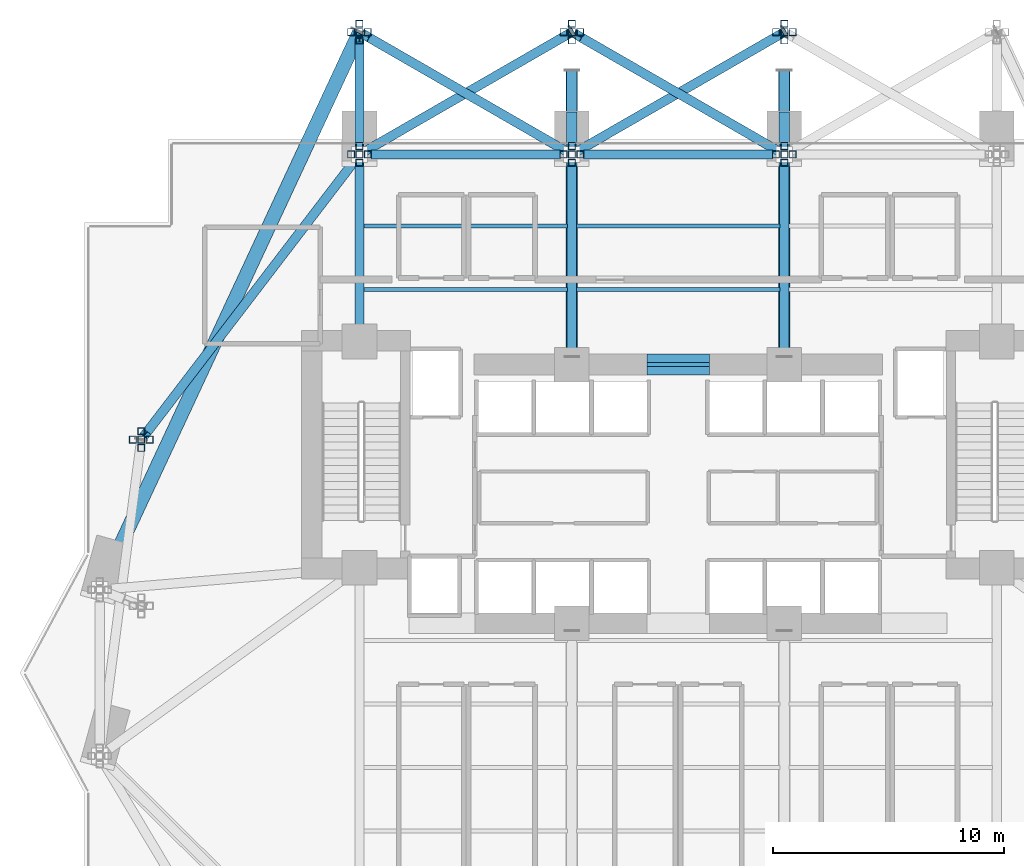
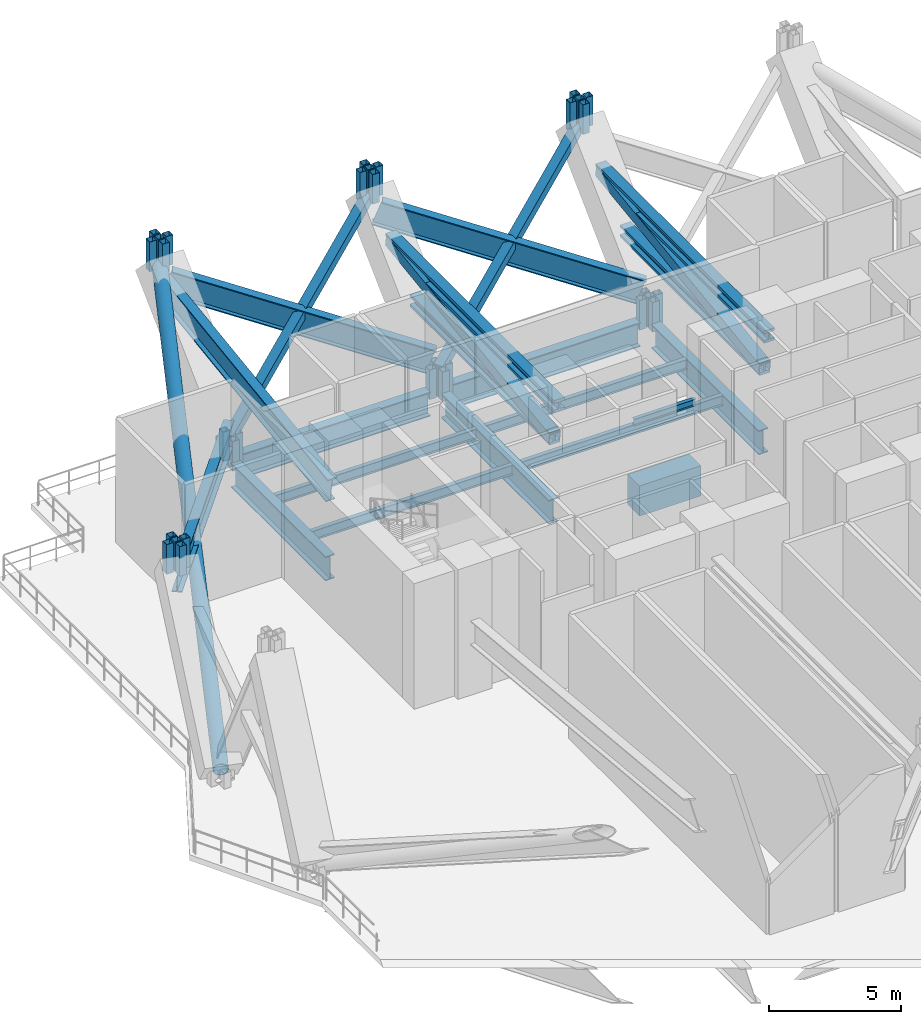
# One storey, part 5 of 21: 44 members, 15 beams.
"""IFC4 building model written with IfcOpenShell, lengths in metres."""

from ifc_helpers import new_model, si_unit, direction, frame, origin, origin_2d, place, context, subcontext, project, spatial, rectangle, hollow_rectangle, hollow_circle, i_section, extrude, material, material_profile, profile_set, type_object, element, save


model = new_model("IFC4")

# Units and contexts
model_context = context("Model", 3, precision=1e-05, world=origin(), true_north=direction((0.0, 1.0)))
body_context = subcontext(model_context, "Body", "Model", "MODEL_VIEW")
ifc_project = project(units=[si_unit("LENGTHUNIT", "METRE"), si_unit("AREAUNIT", "SQUARE_METRE"), si_unit("VOLUMEUNIT", "CUBIC_METRE"), si_unit("PLANEANGLEUNIT", "RADIAN"), si_unit("MASSUNIT", "GRAM", prefix="KILO")], contexts=[model_context])

# Site, building, storey
site_placement = place(None, origin())
site = spatial("IfcSite", under=ifc_project, at=site_placement, CompositionType="ELEMENT")
building_placement = place(site_placement, origin())
building = spatial("IfcBuilding", under=site, at=building_placement, Name="Zuhayl Quay Hotel", CompositionType="ELEMENT")
storey_placement = place(building_placement, frame((0.0, 0.0, 89.64990234375)))
storey = spatial("IfcBuildingStorey", under=building, at=storey_placement, Name="L22", CompositionType="ELEMENT", Elevation=89.64990234375)

# Beams
ifc_material_1 = material(Name="Concrete C60/75", Category="concrete")
ifc_material_profile_1 = material_profile(ifc_material_1, rectangle(XDim=0.89990234375, YDim=1.39990234375, at=origin_2d()), Name="RC900X1400")
ifc_profile_set_1 = profile_set([ifc_material_profile_1], Name="Concrete C60/75")
beam_type_1 = type_object("IfcBeamType", Name="BM_CB1_RC900", PredefinedType="T_BEAM", material=ifc_profile_set_1)
beam_1_placement = place(storey_placement, frame((-1.35009765625, 13.35009765625, -0.9599609375), z_axis=(1.0, 0.0, 0.0), x_axis=(0.0, 1.0, 0.0)))
element("IfcBeam", 1, at=beam_1_placement, inside=storey, type_object=beam_type_1, Name="L22 Core Coupling Beam North", PredefinedType="T_BEAM", context=body_context, shape_type="SweptSolid", body=[
    extrude(rectangle(XDim=0.89990234375, YDim=1.39990234375, at=origin_2d()), origin(), (0.0, 0.0, 1.0), 2.7001953125),
])
ifc_material_2 = material(Name="Steel ASTM A992 Grade 50", Category="steel")
ifc_material_profile_2 = material_profile(ifc_material_2, i_section(OverallWidth=0.18994140625, OverallDepth=0.45703125, WebThickness=0.009033203125, FlangeThickness=0.014404296875, at=origin_2d()), Name="W18X50")
ifc_profile_set_2 = profile_set([ifc_material_profile_2], Name="Steel ASTM A992 Grade 50")
beam_type_2 = type_object("IfcBeamType", Name="BM_J2_W18X50", PredefinedType="JOIST", material=ifc_profile_set_2)
for number, where, z_axis, x_axis, name in (
    (2, (-13.60595703125, 16.60009765625, -0.48828125), (1.0, 0.0, 0.0), (0.0, 1.0, 0.0), "L22 Floor Beam FJ_L22_1_1"),
    (3, (-4.406005859375, 16.60009765625, -0.48828125), (1.0, 0.0, 0.0), (0.0, 1.0, 0.0), "L22 Floor Beam FJ_L22_1_2"),
    (4, (-13.60595703125, 19.35009765625, -0.48828125), (1.0, 0.0, 0.0), (0.0, 1.0, 0.0), "L22 Floor Beam FJ_L22_2_1"),
    (5, (-4.406005859375, 19.35009765625, -0.48828125), (1.0, 0.0, 0.0), (0.0, 1.0, 0.0), "L22 Floor Beam FJ_L22_2_2"),
):
    element("IfcBeam", number, at=place(storey_placement, frame(where, z_axis=z_axis, x_axis=x_axis)), inside=storey, type_object=beam_type_2, Name=name, PredefinedType="JOIST", context=body_context, shape_type="SweptSolid", body=[
        extrude(i_section(OverallWidth=0.18994140625, OverallDepth=0.45703125, WebThickness=0.009033203125, FlangeThickness=0.014404296875, at=origin_2d()), origin(), (0.0, 0.0, 1.0), 8.81201171875),
    ])
ifc_material_profile_3 = material_profile(ifc_material_2, i_section(OverallWidth=0.1650390625, OverallDepth=0.31005859375, WebThickness=0.005859375, FlangeThickness=0.009765625, at=origin_2d()), Name="W12X26")
ifc_profile_set_3 = profile_set([ifc_material_profile_3], Name="Steel ASTM A992 Grade 50")
beam_type_3 = type_object("IfcBeamType", Name="BM_LN1_W12X26", PredefinedType="LINTEL", material=ifc_profile_set_3)
beam_2_placement = place(storey_placement, frame((-1.35009765625, 13.35009765625, 2.4501953125), z_axis=(1.0, 0.0, 0.0), x_axis=(0.0, 1.0, 0.0)))
element("IfcBeam", 6, at=beam_2_placement, inside=storey, type_object=beam_type_3, Name="L22 Core Portal Header Steel Lintel LN1-6", PredefinedType="LINTEL", context=body_context, shape_type="SweptSolid", body=[
    extrude(i_section(OverallWidth=0.1650390625, OverallDepth=0.31005859375, WebThickness=0.005859375, FlangeThickness=0.009765625, at=origin_2d()), origin(), (0.0, 0.0, 1.0), 2.7001953125),
])
ifc_material_3 = material(Name="Steel ASTM A913 Grade 65", Category="steel")
ifc_material_profile_4 = material_profile(ifc_material_3, i_section(OverallWidth=0.404052734375, OverallDepth=1.117919921875, WebThickness=0.026123046875, FlangeThickness=0.044921875, at=origin_2d()), Name="W44X335")
ifc_profile_set_4 = profile_set([ifc_material_profile_4], Name="Steel ASTM A913 Grade 65")
beam_type_4 = type_object("IfcBeamType", Name="BM_TG1_W44X335", PredefinedType="BEAM", material=ifc_profile_set_4)
beam_3_placement = place(storey_placement, frame((4.10009765625, 22.449951171875, -0.81884765625), z_axis=(-1.0, 0.0, 0.0), x_axis=(0.0, -1.0, 0.0)))
element("IfcBeam", 7, at=beam_3_placement, inside=storey, type_object=beam_type_4, Name="L22 Floor Beam RG_L22_08", PredefinedType="BEAM", context=body_context, shape_type="SweptSolid", body=[
    extrude(i_section(OverallWidth=0.404052734375, OverallDepth=1.117919921875, WebThickness=0.026123046875, FlangeThickness=0.044921875, at=origin_2d()), origin(), (0.0, 0.0, 1.0), 8.2001953125),
])
beam_4_placement = place(storey_placement, frame((-5.10009765625, 22.449951171875, -0.81884765625), z_axis=(-1.0, 0.0, 0.0), x_axis=(0.0, -1.0, 0.0)))
element("IfcBeam", 8, at=beam_4_placement, inside=storey, type_object=beam_type_4, Name="L22 Floor Beam RG_L22_09", PredefinedType="BEAM", context=body_context, shape_type="SweptSolid", body=[
    extrude(i_section(OverallWidth=0.404052734375, OverallDepth=1.117919921875, WebThickness=0.026123046875, FlangeThickness=0.044921875, at=origin_2d()), origin(), (0.0, 0.0, 1.0), 8.199951171875),
])
for number, where, z_axis, x_axis, name in (
    (9, (4.340087890625, 22.599853515625, 0.9501953125), (-0.813629041564, 0.468693716608, 0.343997067919), (-0.499156901803, -0.866511619877, 0.0), "L22 Wind-Floor Inclined Belt Girder 08"),
    (10, (-4.85986328125, 22.599853515625, 0.9501953125), (-0.813629041564, 0.468693716608, 0.343997067919), (-0.499156901803, -0.866511619877, 0.0), "L22 Wind-Floor Inclined Belt Girder 09"),
):
    element("IfcBeam", number, at=place(storey_placement, frame(where, z_axis=z_axis, x_axis=x_axis)), inside=storey, type_object=beam_type_4, Name=name, PredefinedType="BEAM", context=body_context, shape_type="SweptSolid", body=[
        extrude(i_section(OverallWidth=0.404052734375, OverallDepth=1.117919921875, WebThickness=0.026123046875, FlangeThickness=0.044921875, at=origin_2d()), origin(), (0.0, 0.0, 1.0), 10.66845703125),
    ])
beam_5_placement = place(storey_placement, frame((-13.982421875, 22.211669921875, 0.9501953125), z_axis=(-0.590167013149, -0.771278648604, 0.238394930311), x_axis=(0.794176099631, -0.607687685226, 0.0)))
element("IfcBeam", 11, at=beam_5_placement, inside=storey, type_object=beam_type_4, Name="L22 Wind-Floor Inclined Belt Girder 10", PredefinedType="BEAM", context=body_context, shape_type="SweptSolid", body=[
    extrude(i_section(OverallWidth=0.404052734375, OverallDepth=1.117919921875, WebThickness=0.026123046875, FlangeThickness=0.044921875, at=origin_2d()), origin(), (0.0, 0.0, 1.0), 15.394287109375),
])
beam_6_placement = place(storey_placement, frame((-13.800048828125, 14.699951171875, 2.85009765625), z_axis=(0.0, 0.990426942555, 0.138037934861), x_axis=(-1.0, 0.0, 0.0)))
element("IfcBeam", 12, at=beam_6_placement, inside=storey, type_object=beam_type_4, Name="L22 Wind-Floor Inclined Outrigger Girder 1", PredefinedType="BEAM", context=body_context, shape_type="SweptSolid", body=[
    extrude(i_section(OverallWidth=0.404052734375, OverallDepth=1.117919921875, WebThickness=0.026123046875, FlangeThickness=0.044921875, at=origin_2d()), origin(), (0.0, 0.0, 1.0), 12.82275390625),
])
beam_7_placement = place(storey_placement, frame((-13.800048828125, 14.800048828125, -0.81884765625), z_axis=(0.0, 1.0, 0.0), x_axis=(-1.0, 0.0, 0.0)))
element("IfcBeam", 13, at=beam_7_placement, inside=storey, type_object=beam_type_4, Name="L22 Floor Beam FG_N_L22_1", PredefinedType="BEAM", context=body_context, shape_type="SweptSolid", body=[
    extrude(i_section(OverallWidth=0.404052734375, OverallDepth=1.117919921875, WebThickness=0.026123046875, FlangeThickness=0.044921875, at=origin_2d()), origin(), (0.0, 0.0, 1.0), 7.14990234375),
])
for number, where, z_axis, x_axis, name in (
    (14, (-4.60009765625, 13.800048828125, -0.81884765625), (0.0, 1.0, 0.0), (-1.0, 0.0, 0.0), "L22 Floor Beam FG_N_L22_2"),
    (15, (4.60009765625, 13.800048828125, -0.81884765625), (0.0, 1.0, 0.0), (-1.0, 0.0, 0.0), "L22 Floor Beam FG_N_L22_3"),
):
    element("IfcBeam", number, at=place(storey_placement, frame(where, z_axis=z_axis, x_axis=x_axis)), inside=storey, type_object=beam_type_4, Name=name, PredefinedType="BEAM", context=body_context, shape_type="SweptSolid", body=[
        extrude(i_section(OverallWidth=0.404052734375, OverallDepth=1.117919921875, WebThickness=0.026123046875, FlangeThickness=0.044921875, at=origin_2d()), origin(), (0.0, 0.0, 1.0), 8.14990234375),
    ])

# Members
ifc_material_4 = material(Name="Steel ASTM A500 Grade C", Category="steel")
ifc_material_profile_5 = material_profile(ifc_material_4, hollow_rectangle(XDim=0.39990234375, YDim=0.39990234375, WallThickness=0.01611328125, at=origin_2d()), Name="HSS400X400X16")
ifc_profile_set_5 = profile_set([ifc_material_profile_5], Name="Steel ASTM A500 Grade C")
member_type_1 = type_object("IfcMemberType", Name="MB_BT_DIAG_HSS400", PredefinedType="BRACE", material=ifc_profile_set_5)
member_1_placement = place(storey_placement, frame((-13.800048828125, 22.449951171875, 0.550048828125), z_axis=(0.786748746556, 0.453242272085, 0.419043974528), x_axis=(-0.499184223036, 0.866495880817, 0.0)))
element("IfcMember", 16, at=member_1_placement, inside=storey, type_object=member_type_1, Name="L22 Belt Truss BT1 Diagonal N12", PredefinedType="BRACE", context=body_context, shape_type="SweptSolid", body=[
    extrude(hollow_rectangle(XDim=0.39990234375, YDim=0.39990234375, WallThickness=0.01611328125, at=origin_2d()), origin(), (0.0, 0.0, 1.0), 11.693603515625),
])
member_2_placement = place(storey_placement, frame((-4.60009765625, 22.449951171875, 0.550048828125), z_axis=(0.78675670146, 0.453234827301, 0.419037091471), x_axis=(-0.499174277202, 0.866501610489, 0.0)))
element("IfcMember", 17, at=member_2_placement, inside=storey, type_object=member_type_1, Name="L22 Belt Truss BT1 Diagonal N23", PredefinedType="BRACE", context=body_context, shape_type="SweptSolid", body=[
    extrude(hollow_rectangle(XDim=0.39990234375, YDim=0.39990234375, WallThickness=0.01611328125, at=origin_2d()), origin(), (0.0, 0.0, 1.0), 11.69384765625),
])
ifc_material_profile_6 = material_profile(ifc_material_4, hollow_rectangle(XDim=0.300048828125, YDim=0.300048828125, WallThickness=0.012451171875, at=origin_2d()), Name="HSS300X300X12")
ifc_profile_set_6 = profile_set([ifc_material_profile_6], Name="Steel ASTM A500 Grade C")
member_type_2 = type_object("IfcMemberType", Name="MB_CR_BRACE_HSS300", PredefinedType="BRACE", material=ifc_profile_set_6)
for number, where, z_axis, x_axis, name in (
    (18, (-13.800048828125, 22.449951171875, -0.64990234375), (0.0, 0.0, 1.0), (1.0, 0.0, 0.0), "L22 Mega-Column Lower Knuckle Leg MC_N1-1"),
    (19, (-13.800048828125, 27.75, 5.280029296875), (0.0, 0.0, 1.0), (1.0, 0.0, 0.0), "L22 Mega-Column Upper Knuckle Leg MC_N1-1"),
    (20, (-13.800048828125, 22.81005859375, -0.64990234375), (0.0, 0.0, 1.0), (1.0, 0.0, 0.0), "L22 Mega-Column Lower Knuckle Leg MC_N1-2"),
    (21, (-13.800048828125, 28.110107421875, 5.280029296875), (0.0, 0.0, 1.0), (1.0, 0.0, 0.0), "L22 Mega-Column Upper Knuckle Leg MC_N1-2"),
    (22, (-13.800048828125, 22.090087890625, -0.64990234375), (0.0, 0.0, 1.0), (1.0, 0.0, 0.0), "L22 Mega-Column Lower Knuckle Leg MC_N1-3"),
    (23, (-13.800048828125, 27.389892578125, 5.280029296875), (0.0, 0.0, 1.0), (1.0, 0.0, 0.0), "L22 Mega-Column Upper Knuckle Leg MC_N1-3"),
    (24, (-13.43994140625, 22.449951171875, -0.64990234375), (0.0, 0.0, 1.0), (1.0, 0.0, 0.0), "L22 Mega-Column Lower Knuckle Leg MC_N1-4"),
    (25, (-13.43994140625, 27.75, 5.280029296875), (0.0, 0.0, 1.0), (1.0, 0.0, 0.0), "L22 Mega-Column Upper Knuckle Leg MC_N1-4"),
    (26, (-14.159912109375, 22.449951171875, -0.64990234375), (0.0, 0.0, 1.0), (1.0, 0.0, 0.0), "L22 Mega-Column Lower Knuckle Leg MC_N1-5"),
    (27, (-14.159912109375, 27.75, 5.280029296875), (0.0, 0.0, 1.0), (1.0, 0.0, 0.0), "L22 Mega-Column Upper Knuckle Leg MC_N1-5"),
    (28, (-4.60009765625, 22.449951171875, -0.64990234375), (0.0, 0.0, 1.0), (1.0, 0.0, 0.0), "L22 Mega-Column Lower Knuckle Leg MC_N2-1"),
    (29, (-4.60009765625, 27.75, 5.280029296875), (0.0, 0.0, 1.0), (1.0, 0.0, 0.0), "L22 Mega-Column Upper Knuckle Leg MC_N2-1"),
    (30, (-4.60009765625, 22.81005859375, -0.64990234375), (0.0, 0.0, 1.0), (1.0, 0.0, 0.0), "L22 Mega-Column Lower Knuckle Leg MC_N2-2"),
    (31, (-4.60009765625, 28.110107421875, 5.280029296875), (0.0, 0.0, 1.0), (1.0, 0.0, 0.0), "L22 Mega-Column Upper Knuckle Leg MC_N2-2"),
    (32, (-4.60009765625, 22.090087890625, -0.64990234375), (0.0, 0.0, 1.0), (1.0, 0.0, 0.0), "L22 Mega-Column Lower Knuckle Leg MC_N2-3"),
    (33, (-4.60009765625, 27.389892578125, 5.280029296875), (0.0, 0.0, 1.0), (1.0, 0.0, 0.0), "L22 Mega-Column Upper Knuckle Leg MC_N2-3"),
    (34, (-4.239990234375, 22.449951171875, -0.64990234375), (0.0, 0.0, 1.0), (1.0, 0.0, 0.0), "L22 Mega-Column Lower Knuckle Leg MC_N2-4"),
    (35, (-4.239990234375, 27.75, 5.280029296875), (0.0, 0.0, 1.0), (1.0, 0.0, 0.0), "L22 Mega-Column Upper Knuckle Leg MC_N2-4"),
    (36, (-4.9599609375, 22.449951171875, -0.64990234375), (0.0, 0.0, 1.0), (1.0, 0.0, 0.0), "L22 Mega-Column Lower Knuckle Leg MC_N2-5"),
    (37, (-4.9599609375, 27.75, 5.280029296875), (0.0, 0.0, 1.0), (1.0, 0.0, 0.0), "L22 Mega-Column Upper Knuckle Leg MC_N2-5"),
    (38, (4.60009765625, 22.449951171875, -0.64990234375), (0.0, 0.0, 1.0), (1.0, 0.0, 0.0), "L22 Mega-Column Lower Knuckle Leg MC_N3-1"),
    (39, (4.60009765625, 27.75, 5.280029296875), (0.0, 0.0, 1.0), (1.0, 0.0, 0.0), "L22 Mega-Column Upper Knuckle Leg MC_N3-1"),
    (40, (4.60009765625, 22.81005859375, -0.64990234375), (0.0, 0.0, 1.0), (1.0, 0.0, 0.0), "L22 Mega-Column Lower Knuckle Leg MC_N3-2"),
    (41, (4.60009765625, 28.110107421875, 5.280029296875), (0.0, 0.0, 1.0), (1.0, 0.0, 0.0), "L22 Mega-Column Upper Knuckle Leg MC_N3-2"),
    (42, (4.60009765625, 22.090087890625, -0.64990234375), (0.0, 0.0, 1.0), (1.0, 0.0, 0.0), "L22 Mega-Column Lower Knuckle Leg MC_N3-3"),
    (43, (4.60009765625, 27.389892578125, 5.280029296875), (0.0, 0.0, 1.0), (1.0, 0.0, 0.0), "L22 Mega-Column Upper Knuckle Leg MC_N3-3"),
    (44, (4.9599609375, 22.449951171875, -0.64990234375), (0.0, 0.0, 1.0), (1.0, 0.0, 0.0), "L22 Mega-Column Lower Knuckle Leg MC_N3-4"),
    (45, (4.9599609375, 27.75, 5.280029296875), (0.0, 0.0, 1.0), (1.0, 0.0, 0.0), "L22 Mega-Column Upper Knuckle Leg MC_N3-4"),
    (46, (4.239990234375, 22.449951171875, -0.64990234375), (0.0, 0.0, 1.0), (1.0, 0.0, 0.0), "L22 Mega-Column Lower Knuckle Leg MC_N3-5"),
    (47, (4.239990234375, 27.75, 5.280029296875), (0.0, 0.0, 1.0), (1.0, 0.0, 0.0), "L22 Mega-Column Upper Knuckle Leg MC_N3-5"),
    (48, (-23.25, 10.10009765625, 5.280029296875), (0.0, 0.0, 1.0), (1.0, 0.0, 0.0), "L22 Mega-Column Upper Knuckle Leg MC_W2-1"),
    (49, (-23.25, 10.4599609375, 5.280029296875), (0.0, 0.0, 1.0), (1.0, 0.0, 0.0), "L22 Mega-Column Upper Knuckle Leg MC_W2-2"),
    (50, (-23.25, 9.739990234375, 5.280029296875), (0.0, 0.0, 1.0), (1.0, 0.0, 0.0), "L22 Mega-Column Upper Knuckle Leg MC_W2-3"),
    (51, (-22.889892578125, 10.10009765625, 5.280029296875), (0.0, 0.0, 1.0), (1.0, 0.0, 0.0), "L22 Mega-Column Upper Knuckle Leg MC_W2-4"),
    (52, (-23.610107421875, 10.10009765625, 5.280029296875), (0.0, 0.0, 1.0), (1.0, 0.0, 0.0), "L22 Mega-Column Upper Knuckle Leg MC_W2-5"),
):
    element("IfcMember", number, at=place(storey_placement, frame(where, z_axis=z_axis, x_axis=x_axis)), inside=storey, type_object=member_type_2, Name=name, PredefinedType="STRUT", context=body_context, shape_type="SweptSolid", body=[
        extrude(hollow_rectangle(XDim=0.300048828125, YDim=0.300048828125, WallThickness=0.012451171875, at=origin_2d()), origin(), (0.0, 0.0, 1.0), 1.3701171875),
    ])
ifc_material_profile_7 = material_profile(ifc_material_3, i_section(OverallWidth=0.4541015625, OverallDepth=0.569091796875, WebThickness=0.077880859375, FlangeThickness=0.124755859375, at=origin_2d()), Name="W14X730")
ifc_profile_set_7 = profile_set([ifc_material_profile_7], Name="Steel ASTM A913 Grade 65")
member_type_3 = type_object("IfcMemberType", Name="MB_OT_CHORD_730", PredefinedType="CHORD", material=ifc_profile_set_7)
member_3_placement = place(storey_placement, frame((-4.60009765625, 13.699951171875, 2.650146484375), z_axis=(0.0, 1.0, 0.0), x_axis=(-1.0, 0.0, 0.0)))
element("IfcMember", 53, at=member_3_placement, inside=storey, type_object=member_type_3, Name="L22 Outrigger Truss OT1 North Bottom Chord 1", PredefinedType="CHORD", context=body_context, shape_type="SweptSolid", body=[
    extrude(i_section(OverallWidth=0.4541015625, OverallDepth=0.569091796875, WebThickness=0.077880859375, FlangeThickness=0.124755859375, at=origin_2d()), origin(), (0.0, 0.0, 1.0), 10.5791015625),
])
member_4_placement = place(storey_placement, frame((-4.60009765625, 13.35009765625, 4.35009765625), z_axis=(0.0, 1.0, 0.0), x_axis=(-1.0, 0.0, 0.0)))
element("IfcMember", 54, at=member_4_placement, inside=storey, type_object=member_type_3, Name="L22 Outrigger Truss OT1 North Top Chord 1", PredefinedType="CHORD", context=body_context, shape_type="SweptSolid", body=[
    extrude(i_section(OverallWidth=0.4541015625, OverallDepth=0.569091796875, WebThickness=0.077880859375, FlangeThickness=0.124755859375, at=origin_2d()), origin(), (0.0, 0.0, 1.0), 12.787353515625),
])
member_5_placement = place(storey_placement, frame((4.60009765625, 13.699951171875, 2.650146484375), z_axis=(0.0, 1.0, 0.0), x_axis=(-1.0, 0.0, 0.0)))
element("IfcMember", 55, at=member_5_placement, inside=storey, type_object=member_type_3, Name="L22 Outrigger Truss OT1 North Bottom Chord 2", PredefinedType="CHORD", context=body_context, shape_type="SweptSolid", body=[
    extrude(i_section(OverallWidth=0.4541015625, OverallDepth=0.569091796875, WebThickness=0.077880859375, FlangeThickness=0.124755859375, at=origin_2d()), origin(), (0.0, 0.0, 1.0), 10.5791015625),
])
member_6_placement = place(storey_placement, frame((4.60009765625, 13.35009765625, 4.35009765625), z_axis=(0.0, 1.0, 0.0), x_axis=(-1.0, 0.0, 0.0)))
element("IfcMember", 56, at=member_6_placement, inside=storey, type_object=member_type_3, Name="L22 Outrigger Truss OT1 North Top Chord 2", PredefinedType="CHORD", context=body_context, shape_type="SweptSolid", body=[
    extrude(i_section(OverallWidth=0.4541015625, OverallDepth=0.569091796875, WebThickness=0.077880859375, FlangeThickness=0.124755859375, at=origin_2d()), origin(), (0.0, 0.0, 1.0), 12.787353515625),
])
ifc_material_profile_8 = material_profile(ifc_material_4, hollow_rectangle(XDim=0.5, YDim=0.5, WallThickness=0.02001953125, at=origin_2d()), Name="HSS500X500X20")
ifc_profile_set_8 = profile_set([ifc_material_profile_8], Name="Steel ASTM A500 Grade C")
member_type_4 = type_object("IfcMemberType", Name="MB_OT_DIAG_HSS500", PredefinedType="BRACE", material=ifc_profile_set_8)
for number, where, z_axis, x_axis, name in (
    (57, (-4.60009765625, 13.699951171875, 2.650146484375), (0.0, 0.990714673988, 0.135957474033), (-1.0, 0.0, 0.0), "L22 Outrigger Truss OT1 North Diagonal 1"),
    (58, (4.60009765625, 13.699951171875, 2.650146484375), (0.0, 0.990714673988, 0.135957474033), (-1.0, 0.0, 0.0), "L22 Outrigger Truss OT1 North Diagonal 2"),
):
    element("IfcMember", number, at=place(storey_placement, frame(where, z_axis=z_axis, x_axis=x_axis)), inside=storey, type_object=member_type_4, Name=name, PredefinedType="BRACE", context=body_context, shape_type="SweptSolid", body=[
        extrude(hollow_rectangle(XDim=0.5, YDim=0.5, WallThickness=0.02001953125, at=origin_2d()), origin(), (0.0, 0.0, 1.0), 12.503662109375),
    ])
ifc_material_profile_9 = material_profile(ifc_material_4, hollow_circle(Radius=0.304931640625, WallThickness=0.02001953125, at=origin_2d()), Name="CHS610X20")
ifc_profile_set_9 = profile_set([ifc_material_profile_9], Name="Steel ASTM A500 Grade C")
member_type_5 = type_object("IfcMemberType", Name="MB_ST_CHS610", PredefinedType="STRUT", material=ifc_profile_set_9)
member_7_placement = place(storey_placement, frame((-25.050048828125, 3.60009765625, 0.550048828125), z_axis=(0.415304005074, 0.891515659155, 0.180893374259), x_axis=(-0.906469953831, 0.422270319583, 0.0)))
element("IfcMember", 59, at=member_7_placement, inside=storey, type_object=member_type_5, Name="L22 Wind-Floor Corner Mega-Strut NW", PredefinedType="STRUT", context=body_context, shape_type="SweptSolid", body=[
    extrude(hollow_circle(Radius=0.304931640625, WallThickness=0.02001953125, at=origin_2d()), origin(), (0.0, 0.0, 1.0), 27.088623046875),
])

save(model, "model.ifc")
